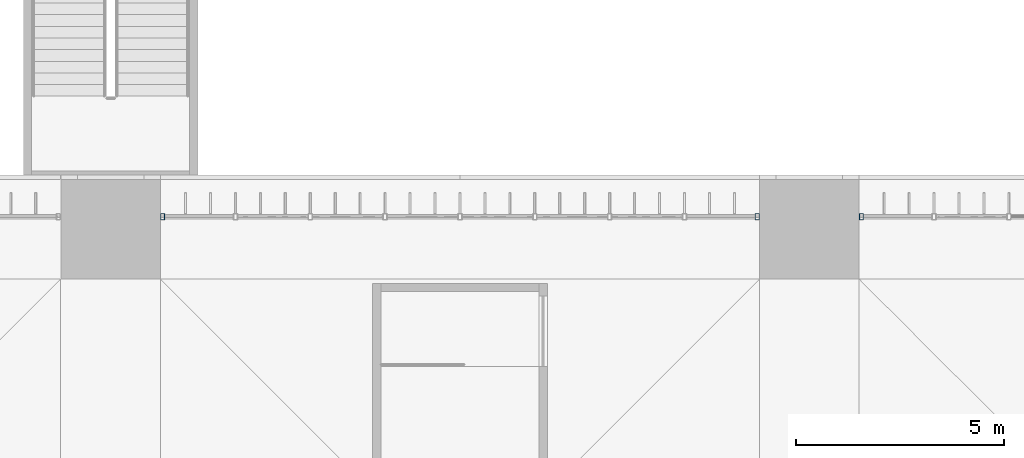
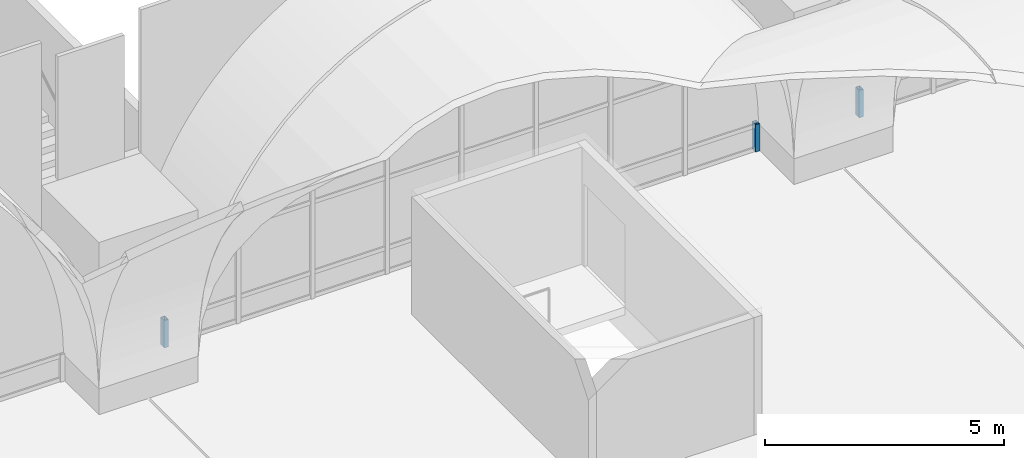
# One storey, part 69 of 169: 3 members, 2 elements without a shape of their own.
"""IFC4 building model written with IfcOpenShell, lengths in metres."""

from ifc_helpers import new_model, si_unit, direction, frame, origin, origin_2d, place, context, subcontext, project, spatial, hollow_rectangle, extrude, material, layer, layer_set, material_profile, profile_set, type_object, element, aggregate, save


model = new_model("IFC4")

# Units and contexts
model_context = context("Model", 3, precision=1e-05, world=origin(), true_north=direction((0.0, 1.0)))
body_context = subcontext(model_context, "Body", "Model", "MODEL_VIEW")
ifc_project = project(units=[si_unit("LENGTHUNIT", "METRE"), si_unit("AREAUNIT", "SQUARE_METRE"), si_unit("VOLUMEUNIT", "CUBIC_METRE"), si_unit("PLANEANGLEUNIT", "RADIAN"), si_unit("MASSUNIT", "GRAM", prefix="KILO")], contexts=[model_context])

# Site, building, storey
site_placement = place(None, origin())
site = spatial("IfcSite", under=ifc_project, at=site_placement, CompositionType="ELEMENT")
building_placement = place(site_placement, origin())
building = spatial("IfcBuilding", under=site, at=building_placement, Name="Verrick Yard Athletic Hall", CompositionType="ELEMENT")
storey_placement = place(building_placement, frame((0.0, 0.0, 4.39990234375)))
storey = spatial("IfcBuildingStorey", under=building, at=storey_placement, Name="L01", CompositionType="ELEMENT", Elevation=4.39990234375)

# Curtain wall, members
ifc_material_1 = material(Name="Aluminium and glass curtain wall", Category="aluminium")
ifc_layer = layer(ifc_material_1, 0.14990234375)
ifc_layer_set = layer_set([ifc_layer], Name="Arcade glazing arch")
curtain_wall_type = type_object("IfcCurtainWallType", Name="Arcade glazing arch", PredefinedType="NOTDEFINED", material=ifc_layer_set)
curtain_wall_1_placement = place(storey_placement, origin())
curtain_wall_1 = element("IfcCurtainWall", 1, at=curtain_wall_1_placement, inside=storey, type_object=curtain_wall_type, Name="Arcade glazing N3", PredefinedType="NOTDEFINED")
ifc_material_2 = material(Name="Structural steel HSS Class C 350W (CSA G40.20/G40.21)", Category="steel")
ifc_material_profile = material_profile(ifc_material_2, hollow_rectangle(XDim=0.1015625, YDim=0.15234375, WallThickness=0.008056640625, at=origin_2d()), Name="HSS152x102x7.9")
ifc_profile_set = profile_set([ifc_material_profile], Name="Structural steel HSS Class C 350W (CSA G40.20/G40.21)")
member_type = type_object("IfcMemberType", Name="Curtain wall mullion HSS152x102x7.9", PredefinedType="MULLION", material=ifc_profile_set)
member_1_placement = place(storey_placement, frame((74.851318359375, 53.10009765625, 0.0), z_axis=(0.0, 0.0, 1.0), x_axis=(1.0, 0.0, 0.0)))
member_1 = element("IfcMember", 2, at=member_1_placement, type_object=member_type, Name="Arcade glazing N3 mullion 1", PredefinedType="MULLION", context=body_context, shape_type="SweptSolid", body=[
    extrude(hollow_rectangle(XDim=0.1015625, YDim=0.15234375, WallThickness=0.008056640625, at=origin_2d()), origin(), (0.0, 0.0, 1.0), 0.700927734375),
])
member_2_placement = place(storey_placement, frame((89.148681640625, 53.10009765625, 0.0), z_axis=(0.0, 0.0, 1.0), x_axis=(1.0, 0.0, 0.0)))
member_2 = element("IfcMember", 3, at=member_2_placement, type_object=member_type, Name="Arcade glazing N3 mullion 9", PredefinedType="MULLION", context=body_context, shape_type="SweptSolid", body=[
    extrude(hollow_rectangle(XDim=0.1015625, YDim=0.15234375, WallThickness=0.008056640625, at=origin_2d()), origin(), (0.0, 0.0, 1.0), 0.700927734375),
])
aggregate(curtain_wall_1, [member_1, member_2])

# Curtain wall, member
curtain_wall_2_placement = place(storey_placement, origin())
curtain_wall_2 = element("IfcCurtainWall", 4, at=curtain_wall_2_placement, inside=storey, type_object=curtain_wall_type, Name="Arcade glazing N4", PredefinedType="NOTDEFINED")
member_3_placement = place(storey_placement, frame((91.6513671875, 53.10009765625, 0.0), z_axis=(0.0, 0.0, 1.0), x_axis=(1.0, 0.0, 0.0)))
member_3 = element("IfcMember", 5, at=member_3_placement, type_object=member_type, Name="Arcade glazing N4 mullion 1", PredefinedType="MULLION", context=body_context, shape_type="SweptSolid", body=[
    extrude(hollow_rectangle(XDim=0.1015625, YDim=0.15234375, WallThickness=0.008056640625, at=origin_2d()), origin(), (0.0, 0.0, 1.0), 0.700927734375),
])
aggregate(curtain_wall_2, [member_3])

save(model, "model.ifc")
